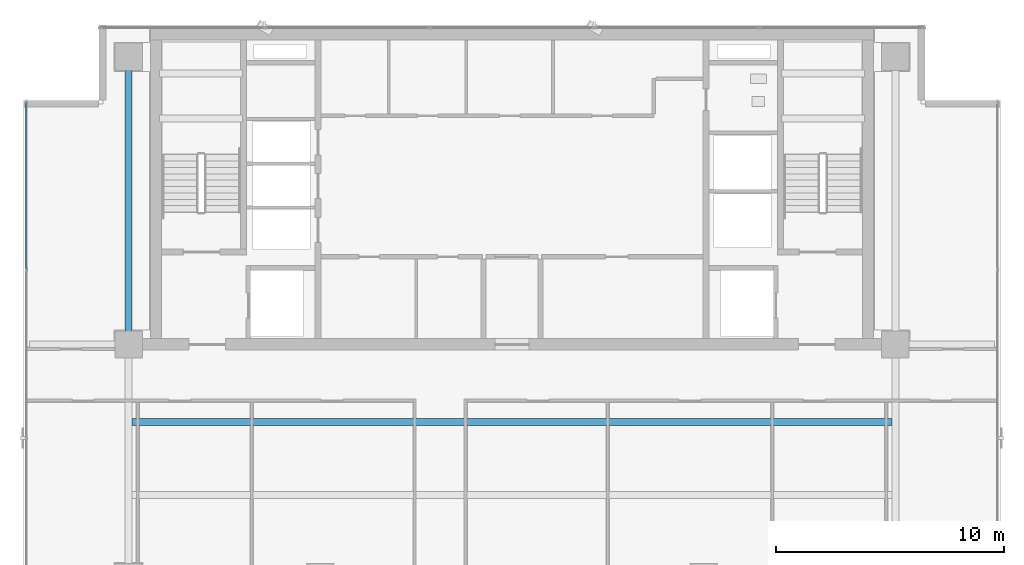
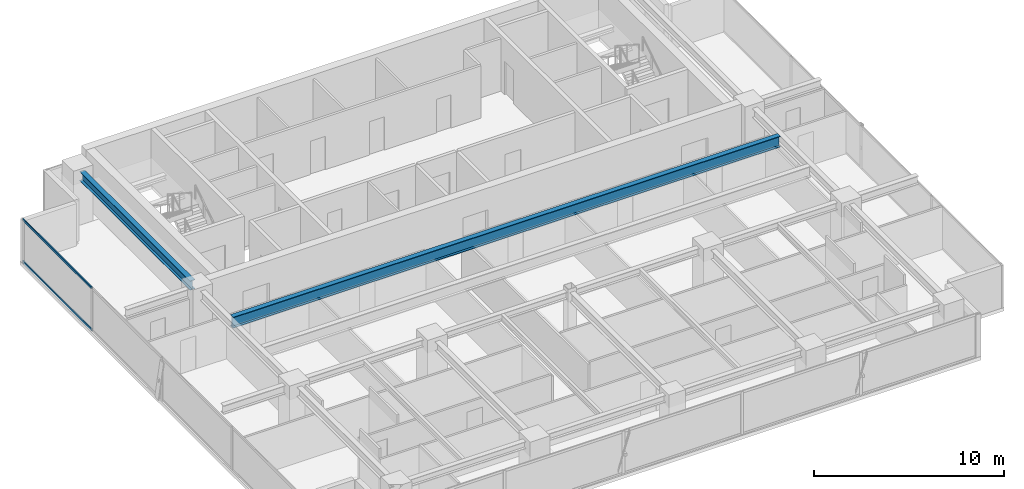
# One storey, part 8 of 23: 2 beams, 2 members, 1 element without a shape of its own.
"""IFC4 building model written with IfcOpenShell, lengths in metres."""

from ifc_helpers import new_model, si_unit, direction, frame, origin, origin_2d, place, context, subcontext, project, spatial, hollow_rectangle, i_section, extrude, source, transform, mapped, material, layer, layer_set, material_profile, profile_set, type_object, element, aggregate, save


model = new_model("IFC4")

# Units and contexts
model_context = context("Model", 3, precision=1e-05, world=origin(), true_north=direction((0.0, 1.0)))
body_context = subcontext(model_context, "Body", "Model", "MODEL_VIEW")
ifc_project = project(units=[si_unit("LENGTHUNIT", "METRE"), si_unit("AREAUNIT", "SQUARE_METRE"), si_unit("VOLUMEUNIT", "CUBIC_METRE"), si_unit("PLANEANGLEUNIT", "RADIAN"), si_unit("MASSUNIT", "GRAM", prefix="KILO")], contexts=[model_context])

# Site, building, storey
site_placement = place(None, origin())
site = spatial("IfcSite", under=ifc_project, at=site_placement, CompositionType="ELEMENT")
building_placement = place(site_placement, origin())
building = spatial("IfcBuilding", under=site, at=building_placement, Name="Sumidabori Civic Tower", CompositionType="ELEMENT")
storey_placement = place(building_placement, frame((0.0, 0.0, 275.60009765625)))
storey = spatial("IfcBuildingStorey", under=building, at=storey_placement, Name="L72", CompositionType="ELEMENT", Elevation=275.60009765625)

# Beams
ifc_material_1 = material(Name="Steel SN490", Category="steel")
ifc_material_profile_1 = material_profile(ifc_material_1, i_section(OverallWidth=0.300048828125, OverallDepth=0.60009765625, WebThickness=0.015380859375, FlangeThickness=0.030029296875, at=origin_2d()), Name="HE 600 B")
ifc_profile_set_1 = profile_set([ifc_material_profile_1], Name="Steel SN490")
beam_type_1 = type_object("IfcBeamType", Name="BM-GIRD-600", PredefinedType="BEAM", material=ifc_profile_set_1)
shared_shape_1 = source(origin(), body_context, "Body", "SweptSolid", [
    extrude(i_section(OverallWidth=0.300048828125, OverallDepth=0.60009765625, WebThickness=0.015380859375, FlangeThickness=0.030029296875, at=origin_2d()), origin(), (0.0, 0.0, 1.0), 11.64013671875),
])
beam_1_placement = place(storey_placement, frame((-16.800048828125, 10.679931640625, 3.06982421875), z_axis=(0.0, 1.0, 0.0), x_axis=(-1.0, 0.0, 0.0)))
element("IfcBeam", 1, at=beam_1_placement, inside=storey, type_object=beam_type_1, Name="Primary Girder L72 GY-11", PredefinedType="BEAM", context=body_context, shape_type="MappedRepresentation", body=[
    mapped(shared_shape_1, transform((0.0, 0.0, 0.0), x_axis=(1.0, 0.0, 0.0), y_axis=(0.0, 1.0, 0.0), z_axis=(0.0, 0.0, 1.0), scale=1.0)),
])
ifc_material_profile_2 = material_profile(ifc_material_1, i_section(OverallWidth=0.300048828125, OverallDepth=0.699951171875, WebThickness=0.01708984375, FlangeThickness=0.031982421875, at=origin_2d()), Name="HE 700 B")
ifc_profile_set_2 = profile_set([ifc_material_profile_2], Name="Steel SN490")
beam_type_2 = type_object("IfcBeamType", Name="BM-GIRD-700", PredefinedType="BEAM", material=ifc_profile_set_2)
shared_shape_2 = source(origin(), body_context, "Body", "SweptSolid", [
    extrude(i_section(OverallWidth=0.300048828125, OverallDepth=0.699951171875, WebThickness=0.01708984375, FlangeThickness=0.031982421875, at=origin_2d()), origin(), (0.0, 0.0, 1.0), 33.2998046875),
])
beam_2_placement = place(storey_placement, frame((-16.64990234375, 6.800048828125, 3.02001953125), z_axis=(1.0, 0.0, 0.0), x_axis=(0.0, 1.0, 0.0)))
element("IfcBeam", 2, at=beam_2_placement, inside=storey, type_object=beam_type_2, Name="North Bay Floor Beam L72 JSTN-23", PredefinedType="BEAM", context=body_context, shape_type="MappedRepresentation", body=[
    mapped(shared_shape_2, transform((0.0, 0.0, 0.0), x_axis=(1.0, 0.0, 0.0), y_axis=(0.0, 1.0, 0.0), z_axis=(0.0, 0.0, 1.0), scale=1.0)),
])

# Curtain wall, members
ifc_material_2 = material(Name="Anodised Bronze Aluminium AW-6063-T6", Category="aluminium")
ifc_layer = layer(ifc_material_2, 0.179931640625, Name="Anodised Bronze Aluminium AW-6063-T6")
ifc_layer_set = layer_set([ifc_layer], Name="Anodised Bronze Aluminium AW-6063-T6")
curtain_wall_type = type_object("IfcCurtainWallType", Name="CW-SYS-6", PredefinedType="NOTDEFINED", material=ifc_layer_set)
curtain_wall_placement = place(storey_placement, origin())
curtain_wall = element("IfcCurtainWall", 3, at=curtain_wall_placement, inside=storey, type_object=curtain_wall_type, Name="Curtain Wall CW:L72:R10", PredefinedType="NOTDEFINED")
ifc_material_profile_3 = material_profile(ifc_material_2, hollow_rectangle(XDim=0.06494140625, YDim=0.14990234375, WallThickness=0.0048828125, at=origin_2d()), Name="ALU TRANSOM 150x65")
ifc_profile_set_3 = profile_set([ifc_material_profile_3], Name="Anodised Bronze Aluminium AW-6063-T6")
member_type = type_object("IfcMemberType", Name="CW-TRN-150", PredefinedType="USERDEFINED", material=ifc_profile_set_3)
shared_shape_3 = source(origin(), body_context, "Body", "SweptSolid", [
    extrude(hollow_rectangle(XDim=0.06494140625, YDim=0.14990234375, WallThickness=0.0048828125, at=origin_2d()), origin(), (0.0, 0.0, 1.0), 7.280029296875),
])
member_1_placement = place(storey_placement, frame((-21.280029296875, 20.800048828125, 0.032470703125), z_axis=(0.0, -1.0, 0.0), x_axis=(1.0, 0.0, 0.0)))
member_1 = element("IfcMember", 4, at=member_1_placement, type_object=member_type, Name="CW-6 transom 1.1", ObjectType="TRANSOM", PredefinedType="USERDEFINED", context=body_context, shape_type="MappedRepresentation", body=[
    mapped(shared_shape_3, transform((0.0, 0.0, 0.0), x_axis=(1.0, 0.0, 0.0), y_axis=(0.0, 1.0, 0.0), z_axis=(0.0, 0.0, 1.0), scale=1.0)),
])
member_2_placement = place(storey_placement, frame((-21.280029296875, 20.800048828125, 2.71728515625), z_axis=(0.0, -1.0, 0.0), x_axis=(1.0, 0.0, 0.0)))
member_2 = element("IfcMember", 5, at=member_2_placement, type_object=member_type, Name="CW-6 transom 1.2", ObjectType="TRANSOM", PredefinedType="USERDEFINED", context=body_context, shape_type="MappedRepresentation", body=[
    mapped(shared_shape_3, transform((0.0, 0.0, 0.0), x_axis=(1.0, 0.0, 0.0), y_axis=(0.0, 1.0, 0.0), z_axis=(0.0, 0.0, 1.0), scale=1.0)),
])
aggregate(curtain_wall, [member_1, member_2])

save(model, "model.ifc")
